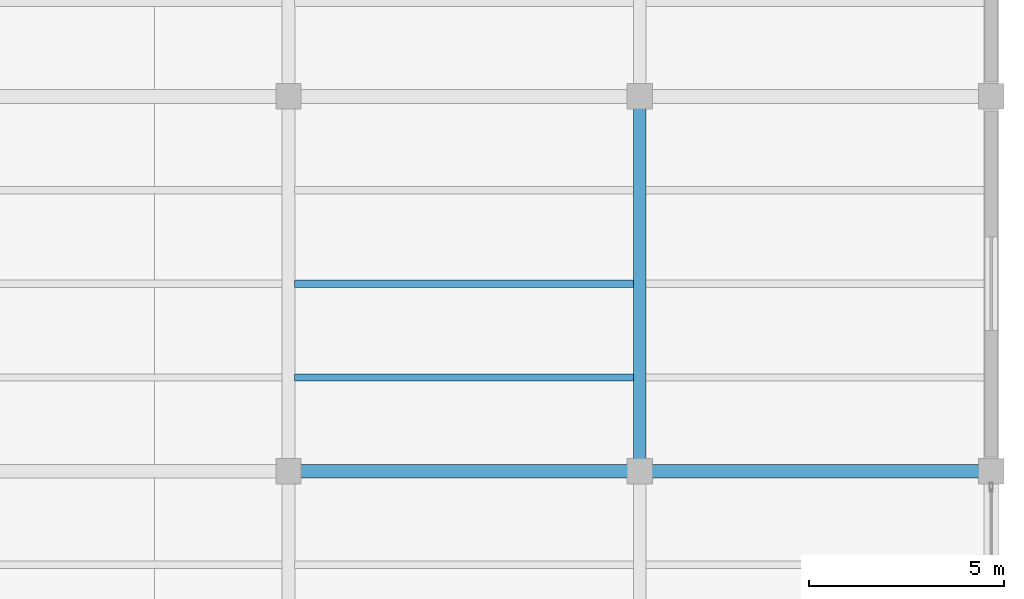
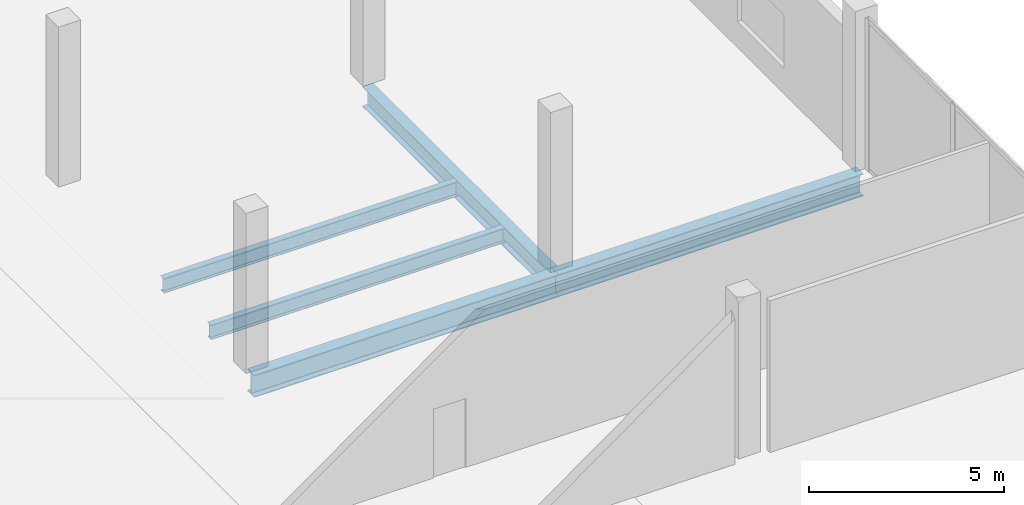
# One storey, part 23 of 46: 5 beams.
"""IFC4 building model written with IfcOpenShell, lengths in metres."""

from ifc_helpers import new_model, si_unit, direction, frame, origin, origin_2d, place, context, subcontext, project, spatial, i_section, extrude, material, material_profile, profile_set, type_object, element, save


model = new_model("IFC4")

# Units and contexts
model_context = context("Model", 3, precision=1e-05, world=origin(), true_north=direction((0.0, 1.0)))
body_context = subcontext(model_context, "Body", "Model", "MODEL_VIEW")
ifc_project = project(units=[si_unit("LENGTHUNIT", "METRE"), si_unit("AREAUNIT", "SQUARE_METRE"), si_unit("VOLUMEUNIT", "CUBIC_METRE"), si_unit("PLANEANGLEUNIT", "RADIAN"), si_unit("MASSUNIT", "GRAM", prefix="KILO")], contexts=[model_context])

# Site, building, storey
site_placement = place(None, origin())
site = spatial("IfcSite", under=ifc_project, at=site_placement, CompositionType="ELEMENT")
building_placement = place(site_placement, origin())
building = spatial("IfcBuilding", under=site, at=building_placement, Name="Qorvath Tower", CompositionType="ELEMENT")
storey_placement = place(building_placement, frame((0.0, 0.0, 17.0)))
storey = spatial("IfcBuildingStorey", under=building, at=storey_placement, Name="L03", CompositionType="ELEMENT", Elevation=17.0)

# Beams
ifc_material_1 = material(Name="Steel ASTM A992 Grade 50", Category="steel")
ifc_material_profile_1 = material_profile(ifc_material_1, i_section(OverallWidth=0.35595703125, OverallDepth=0.696044921875, WebThickness=0.015380859375, FlangeThickness=0.02490234375, FilletRadius=0.01806640625, at=origin_2d()), Name="W27x146")
ifc_profile_set_1 = profile_set([ifc_material_profile_1], Name="Steel ASTM A992 Grade 50")
beam_type_1 = type_object("IfcBeamType", Name="BM-FG4", PredefinedType="BEAM", material=ifc_profile_set_1)
for number, where, z_axis, x_axis, name in (
    (1, (59.39990234375, 19.199951171875, -0.60791015625), (1.0, 0.0, 0.0), (0.0, 1.0, 0.0), "Library E-W Girder L03-7-4"),
    (2, (68.39990234375, 19.199951171875, -0.60791015625), (1.0, 0.0, 0.0), (0.0, 1.0, 0.0), "Library E-W Girder L03-7-5"),
):
    element("IfcBeam", number, at=place(storey_placement, frame(where, z_axis=z_axis, x_axis=x_axis)), inside=storey, type_object=beam_type_1, Name=name, PredefinedType="BEAM", context=body_context, shape_type="SweptSolid", body=[
        extrude(i_section(OverallWidth=0.35595703125, OverallDepth=0.696044921875, WebThickness=0.015380859375, FlangeThickness=0.02490234375, FilletRadius=0.01806640625, at=origin_2d()), origin(), (0.0, 0.0, 1.0), 9.0),
    ])
ifc_material_2 = material(Name="Steel ASTM A992 Grade 50", Category="steel")
ifc_material_profile_2 = material_profile(ifc_material_2, i_section(OverallWidth=0.324951171875, OverallDepth=0.615966796875, WebThickness=0.013916015625, FlangeThickness=0.021484375, FilletRadius=0.01611328125, at=origin_2d()), Name="W24x117")
ifc_profile_set_2 = profile_set([ifc_material_profile_2], Name="Steel ASTM A992 Grade 50")
beam_type_2 = type_object("IfcBeamType", Name="BM-FG5", PredefinedType="BEAM", material=ifc_profile_set_2)
beam_placement = place(storey_placement, frame((68.39990234375, 19.199951171875, -0.568115234375), z_axis=(0.0, 1.0, 0.0), x_axis=(-1.0, 0.0, 0.0)))
element("IfcBeam", 3, at=beam_placement, inside=storey, type_object=beam_type_2, Name="Library N-S Girder L03-5-7", PredefinedType="BEAM", context=body_context, shape_type="SweptSolid", body=[
    extrude(i_section(OverallWidth=0.324951171875, OverallDepth=0.615966796875, WebThickness=0.013916015625, FlangeThickness=0.021484375, FilletRadius=0.01611328125, at=origin_2d()), origin(), (0.0, 0.0, 1.0), 9.60009765625),
])
ifc_material_3 = material(Name="Steel ASTM A992 Grade 50", Category="steel")
ifc_material_profile_3 = material_profile(ifc_material_3, i_section(OverallWidth=0.18994140625, OverallDepth=0.45703125, WebThickness=0.009033203125, FlangeThickness=0.014404296875, FilletRadius=0.011962890625, at=origin_2d()), Name="W18x50")
ifc_profile_set_3 = profile_set([ifc_material_profile_3], Name="Steel ASTM A992 Grade 50")
beam_type_3 = type_object("IfcBeamType", Name="BM-FJ2", PredefinedType="JOIST", material=ifc_profile_set_3)
for number, where, z_axis, x_axis, name in (
    (4, (59.560546875, 21.60009765625, -0.488525390625), (1.0, 0.0, 0.0), (0.0, 1.0, 0.0), "Library Stack Joist L03-7.1-4"),
    (5, (59.560546875, 24.0, -0.488525390625), (1.0, 0.0, 0.0), (0.0, 1.0, 0.0), "Library Stack Joist L03-7.2-4"),
):
    element("IfcBeam", number, at=place(storey_placement, frame(where, z_axis=z_axis, x_axis=x_axis)), inside=storey, type_object=beam_type_3, Name=name, PredefinedType="JOIST", context=body_context, shape_type="SweptSolid", body=[
        extrude(i_section(OverallWidth=0.18994140625, OverallDepth=0.45703125, WebThickness=0.009033203125, FlangeThickness=0.014404296875, FilletRadius=0.011962890625, at=origin_2d()), origin(), (0.0, 0.0, 1.0), 8.678955078125),
    ])

save(model, "model.ifc")
